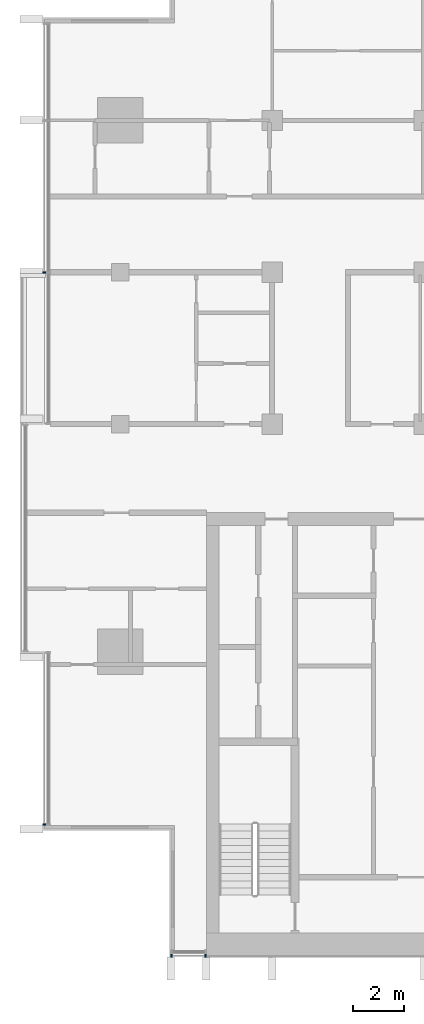
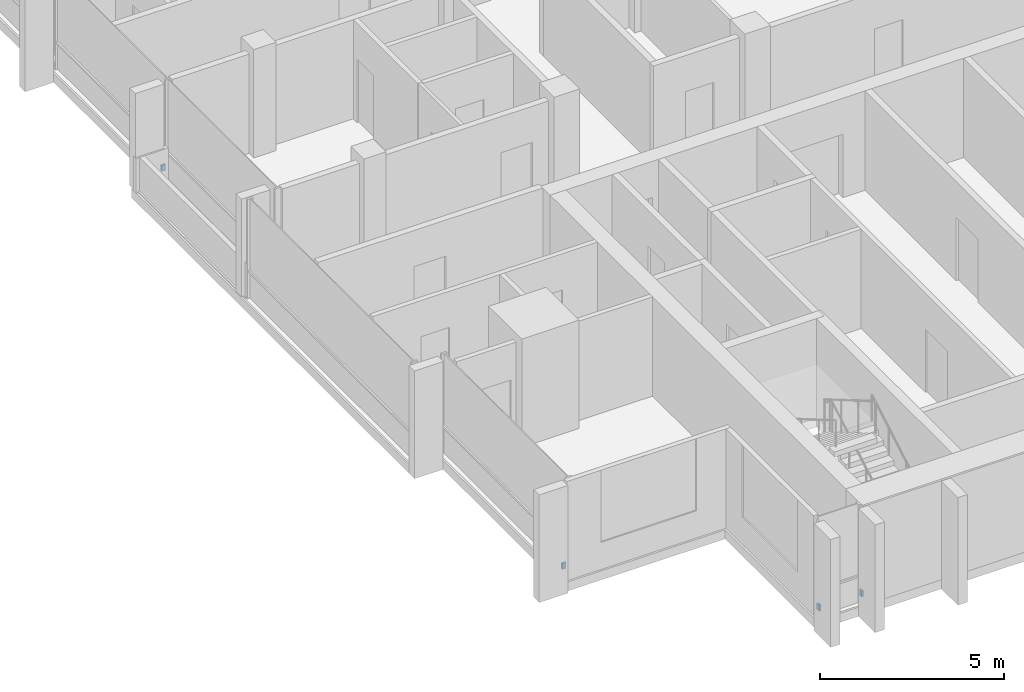
# One storey, part 12 of 16: 4 discrete accessories.
"""IFC4 building model written with IfcOpenShell, lengths in metres."""

import ifcopenshell
import ifcopenshell.guid

model = None  # the IFC model being written
_history = None  # IfcOwnerHistory: only IFC2X3 demands one
_inside = {}  # id of a spatial element -> (the spatial element, [elements in it])
_under = {}  # id of a project, library or spatial element -> (it, [spatial elements below it])
_declared = {}  # id of a project -> (the project, [libraries it declares])
_typed = {}  # id of a type object -> (the type object, [elements of that type])
_made_of = {}  # id of a material, layer set ... -> (it, [elements and type objects made of it])


def new_model(schema):
    """Start an empty IFC model of exactly this schema.

    Asked for "IFC4X3", IfcOpenShell would pick the latest addendum, in which some entities
    have other attributes; the version numbers below select the first issue.
    IFC2X3 requires an IfcOwnerHistory on every rooted entity: one is made here for all.
    """
    global model, _history
    if schema == "IFC4X3":
        model = ifcopenshell.file(schema_version=(4, 3, 0, 0))
    else:
        model = ifcopenshell.file(schema=schema)
    _inside.clear()
    _under.clear()
    _declared.clear()
    _typed.clear()
    _made_of.clear()
    _history = None
    if model.schema == "IFC2X3":
        org = make("IfcOrganization", Name="unknown")
        user = make(
            "IfcPersonAndOrganization",
            ThePerson=make("IfcPerson", FamilyName="unknown"),
            TheOrganization=org,
        )
        app = make(
            "IfcApplication",
            ApplicationDeveloper=org,
            Version="unknown",
            ApplicationFullName="unknown",
            ApplicationIdentifier="unknown",
        )
        _history = make(
            "IfcOwnerHistory",
            OwningUser=user,
            OwningApplication=app,
            ChangeAction="ADDED",
            CreationDate=0,
        )
    return model


def make(cls, **values):
    """One entity of the class cls with the attributes given. An attribute that is None is left unset."""
    return model.create_entity(
        cls, **{name: value for name, value in values.items() if value is not None}
    )


def rooted(cls, **values):
    """An entity with a GlobalId (a new one), such as an element, a storey or a relation."""
    return make(cls, GlobalId=ifcopenshell.guid.new(), OwnerHistory=_history, **values)


def si_unit(unit_type, name, prefix=None):
    """IfcSIUnit, for example si_unit("LENGTHUNIT", "METRE", prefix="MILLI")."""
    return make("IfcSIUnit", UnitType=unit_type, Prefix=prefix, Name=name)


def assignment(units):
    """IfcUnitAssignment: the units of a project."""
    return None if units is None else make("IfcUnitAssignment", Units=units)


def point(xyz):
    """IfcCartesianPoint."""
    return None if xyz is None else make("IfcCartesianPoint", Coordinates=xyz)


def direction(xyz):
    """IfcDirection."""
    return None if xyz is None else make("IfcDirection", DirectionRatios=xyz)


def frame(location, z_axis=None, x_axis=None):
    """IfcAxis2Placement3D, a coordinate frame: its origin and axes. An axis left out is left unset."""
    return make(
        "IfcAxis2Placement3D",
        Location=point(location),
        Axis=direction(z_axis),
        RefDirection=direction(x_axis),
    )


def frame_2d(location, x_axis=None):
    """IfcAxis2Placement2D, a coordinate frame in the plane: its origin and x axis."""
    return make(
        "IfcAxis2Placement2D", Location=point(location), RefDirection=direction(x_axis)
    )


def origin():
    """The frame at (0, 0, 0) with its axes left unset."""
    return frame((0.0, 0.0, 0.0))


def origin_2d():
    """The frame at (0, 0) in the plane with its x axis left unset."""
    return frame_2d((0.0, 0.0))


def place(relative_to, where):
    """IfcLocalPlacement: puts the frame where relative to a parent placement (None: the world)."""
    return make(
        "IfcLocalPlacement", PlacementRelTo=relative_to, RelativePlacement=where
    )


def context(
    kind, dimensions, precision=None, world=None, true_north=None, identifier=None
):
    """IfcGeometricRepresentationContext, for example the 3D "Model" context."""
    return make(
        "IfcGeometricRepresentationContext",
        ContextIdentifier=identifier,
        ContextType=kind,
        CoordinateSpaceDimension=dimensions,
        Precision=precision,
        WorldCoordinateSystem=world,
        TrueNorth=true_north,
    )


def subcontext(parent, identifier, kind, view, scale=None):
    """IfcGeometricRepresentationSubContext, for example "Body" below "Model"."""
    return make(
        "IfcGeometricRepresentationSubContext",
        ContextIdentifier=identifier,
        ContextType=kind,
        ParentContext=parent,
        TargetScale=scale,
        TargetView=view,
    )


def project(units=None, contexts=None):
    """IfcProject with its units and contexts."""
    return rooted(
        "IfcProject",
        Name="project",
        RepresentationContexts=contexts,
        UnitsInContext=assignment(units),
    )


def spatial(cls, under=None, at=None, **own):
    """A site, building, storey or space (cls), placed at a placement, below another one or the project."""
    s = rooted(cls, ObjectPlacement=at, **own)
    if under is not None:
        _under.setdefault(under.id(), (under, []))[1].append(s)
    return s


def profile(cls, at=None, kind="AREA", **sizes):
    """A parametric profile (cls). Its sizes go by their IFC names, for example OverallWidth=200.0."""
    return make(cls, ProfileType=kind, Position=at, **sizes)


def rectangle(**sizes):
    """IfcRectangleProfileDef."""
    return profile("IfcRectangleProfileDef", **sizes)


def extrude(swept, where, along, depth):
    """IfcExtrudedAreaSolid: the profile swept, set in the frame where, extruded along a direction by depth."""
    return make(
        "IfcExtrudedAreaSolid",
        SweptArea=swept,
        Position=where,
        ExtrudedDirection=direction(along),
        Depth=depth,
    )


def shape(context_of_items, identifier, shape_type, items):
    """IfcShapeRepresentation: the items that make up one representation, for example the "Body"."""
    return make(
        "IfcShapeRepresentation",
        ContextOfItems=context_of_items,
        RepresentationIdentifier=identifier,
        RepresentationType=shape_type,
        Items=items,
    )


def material(Name=None, Category=None):
    """IfcMaterial."""
    return make("IfcMaterial", Name=Name, Category=Category)


def made_of(thing, what):
    """Note that an element or type object is made of a material, layer set ...; save() writes the relation."""
    if what is not None:
        _made_of.setdefault(what.id(), (what, []))[1].append(thing)
    return thing


def type_object(cls, material=None, **own):
    """A type object (cls), such as IfcWallType, which elements share."""
    return made_of(rooted(cls, **own), material)


def element(
    cls,
    number,
    at=None,
    inside=None,
    cuts=None,
    type_object=None,
    material=None,
    context=None,
    identifier="Body",
    shape_type=None,
    held_by="IfcProductDefinitionShape",
    body=None,
    shapes=None,
    **own,
):
    """One element of the class cls, such as IfcWall. Its Tag is "e" and its number.

    at: its placement. inside: the storey or other place that contains it. cuts: it is an
    opening in that element (IfcRelVoidsElement). A single representation is given by context,
    identifier, shape_type and body (its items); several are given by shapes. held_by: the class
    of the entity that holds the representations. save() writes the other relations.
    """
    e = rooted(cls, Tag="e%d" % number, ObjectPlacement=at, **own)
    if body is not None:
        shapes = [shape(context, identifier, shape_type, body)]
    if shapes is not None:
        e.Representation = make(held_by, Representations=shapes)
    if inside is not None:
        _inside.setdefault(inside.id(), (inside, []))[1].append(e)
    if cuts is not None:
        rooted(
            "IfcRelVoidsElement", RelatingBuildingElement=cuts, RelatedOpeningElement=e
        )
    if type_object is not None:
        _typed.setdefault(type_object.id(), (type_object, []))[1].append(e)
    return made_of(e, material)


def aggregate(whole, parts):
    """IfcRelAggregates: a whole, such as a stair, and the parts it consists of."""
    return rooted("IfcRelAggregates", RelatingObject=whole, RelatedObjects=parts)


def save(model, path):
    """Write the relations noted so far, then the file.

    IfcRelAggregates (storeys below a building ...), IfcRelContainedInSpatialStructure (elements
    in a storey), IfcRelDefinesByType, IfcRelAssociatesMaterial and IfcRelDeclares: one each for
    every whole, place, type object, material and project.
    """
    for whole, parts in _under.values():
        aggregate(whole, parts)
    for where, things in _inside.values():
        rooted(
            "IfcRelContainedInSpatialStructure",
            RelatedElements=things,
            RelatingStructure=where,
        )
    for kind, things in _typed.values():
        rooted("IfcRelDefinesByType", RelatedObjects=things, RelatingType=kind)
    for what, things in _made_of.values():
        rooted("IfcRelAssociatesMaterial", RelatedObjects=things, RelatingMaterial=what)
    for by, libraries in _declared.values():
        rooted("IfcRelDeclares", RelatingContext=by, RelatedDefinitions=libraries)
    model.write(path)


model = new_model("IFC4")

# Units and contexts
model_context = context("Model", 3, precision=1e-05, world=origin(), true_north=direction((0.0, 1.0)))
body_context = subcontext(model_context, "Body", "Model", "MODEL_VIEW")
ifc_project = project(units=[si_unit("LENGTHUNIT", "METRE"), si_unit("AREAUNIT", "SQUARE_METRE"), si_unit("VOLUMEUNIT", "CUBIC_METRE"), si_unit("PLANEANGLEUNIT", "RADIAN"), si_unit("MASSUNIT", "GRAM", prefix="KILO")], contexts=[model_context])

# Site, building, storey
site_placement = place(None, origin())
site = spatial("IfcSite", under=ifc_project, at=site_placement, CompositionType="ELEMENT")
building_placement = place(site_placement, origin())
building = spatial("IfcBuilding", under=site, at=building_placement, Name="Finial Court Residences", CompositionType="ELEMENT")
storey_placement = place(building_placement, frame((0.0, 0.0, 287.89990234375)))
storey = spatial("IfcBuildingStorey", under=building, at=storey_placement, Name="L73", CompositionType="ELEMENT", Elevation=287.89990234375)

# Discrete accessories
ifc_material = material(Name="Stainless steel 316", Category="steel")
discrete_accessory_type = type_object("IfcDiscreteAccessoryType", Name="Fin bracket, stainless steel 60 x 122 x 200", PredefinedType="BRACKET", material=ifc_material)
for number, where, z_axis, x_axis, name in (
    (1, (-14.469970703125, -25.498779296875, 0.30029296875), (0.0, 0.0, 1.0), (1.0, 0.0, 0.0), "E-L73-FIN-S13-BRK"),
    (2, (-13.1298828125, -25.498779296875, 0.30029296875), (0.0, 0.0, 1.0), (1.0, 0.0, 0.0), "E-L73-FIN-S14-BRK"),
):
    element("IfcDiscreteAccessory", number, at=place(storey_placement, frame(where, z_axis=z_axis, x_axis=x_axis)), inside=storey, type_object=discrete_accessory_type, Name=name, PredefinedType="BRACKET", context=body_context, shape_type="SweptSolid", body=[
        extrude(rectangle(XDim=0.06005859375, YDim=0.12255859375, at=origin_2d()), origin(), (0.0, 0.0, 1.0), 0.199951171875),
    ])
for number, where, z_axis, x_axis, name in (
    (3, (-19.498779296875, -20.320068359375, 0.30029296875), (0.0, 0.0, 1.0), (1.0, 0.0, 0.0), "E-L73-FIN-W21-BRK"),
    (4, (-19.498779296875, 1.5, 0.30029296875), (0.0, 0.0, 1.0), (1.0, 0.0, 0.0), "E-L73-FIN-W24-BRK"),
):
    element("IfcDiscreteAccessory", number, at=place(storey_placement, frame(where, z_axis=z_axis, x_axis=x_axis)), inside=storey, type_object=discrete_accessory_type, Name=name, PredefinedType="BRACKET", context=body_context, shape_type="SweptSolid", body=[
        extrude(rectangle(XDim=0.12255859375, YDim=0.06005859375, at=origin_2d()), origin(), (0.0, 0.0, 1.0), 0.199951171875),
    ])

save(model, "model.ifc")
